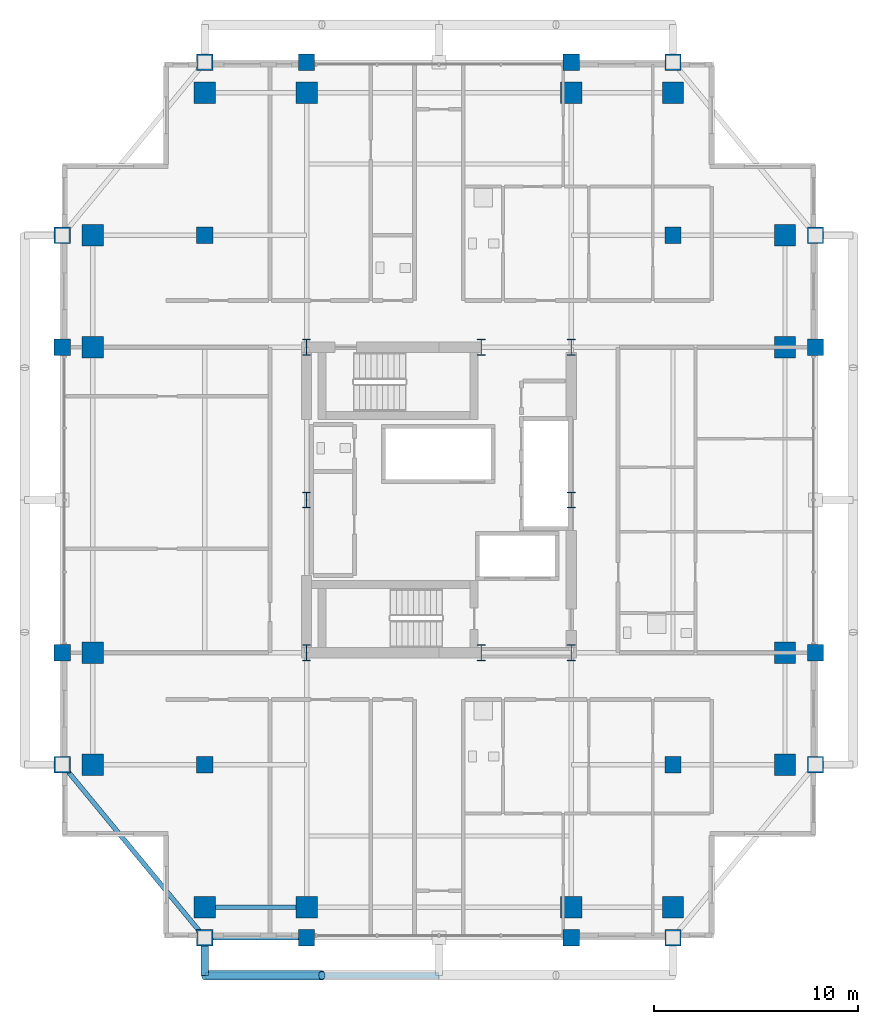
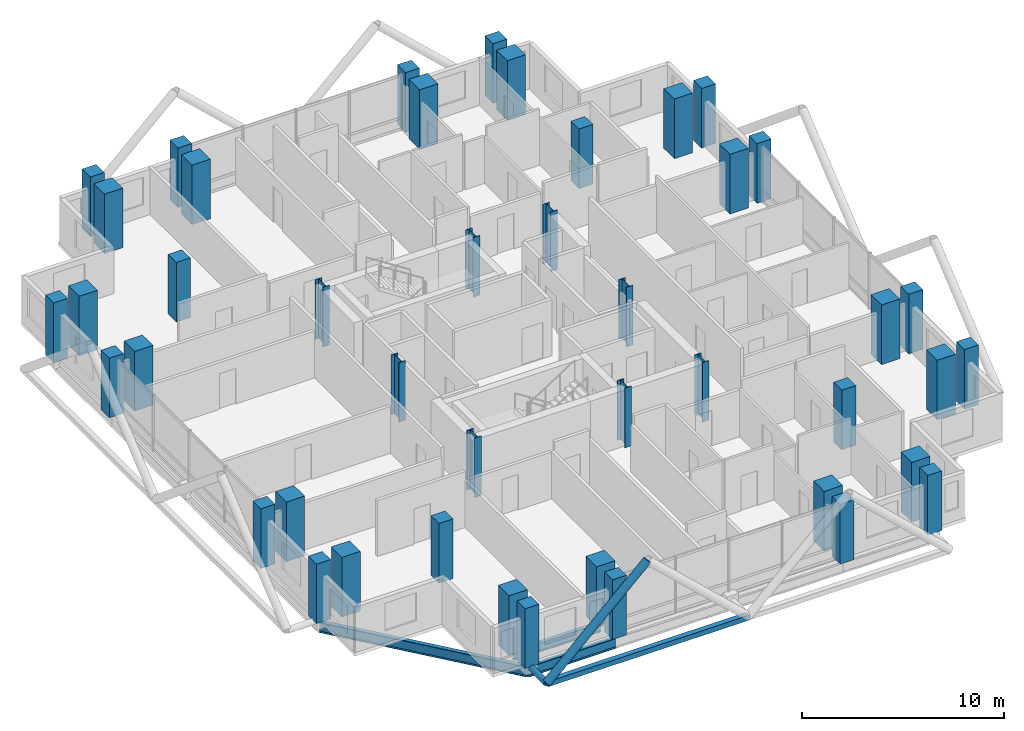
# One storey, part 1 of 26: 44 columns, 3 beams, 3 members.
"""IFC4 building model written with IfcOpenShell, lengths in metres."""

from ifc_helpers import new_model, si_unit, direction, frame, origin, origin_2d, place, context, subcontext, project, spatial, rectangle, hollow_rectangle, hollow_circle, i_section, extrude, material, material_profile, profile_set, type_object, element, save


model = new_model("IFC4")

# Units and contexts
model_context = context("Model", 3, precision=1e-05, world=origin(), true_north=direction((0.0, 1.0)))
body_context = subcontext(model_context, "Body", "Model", "MODEL_VIEW")
ifc_project = project(units=[si_unit("LENGTHUNIT", "METRE"), si_unit("AREAUNIT", "SQUARE_METRE"), si_unit("VOLUMEUNIT", "CUBIC_METRE"), si_unit("PLANEANGLEUNIT", "RADIAN"), si_unit("MASSUNIT", "GRAM", prefix="KILO")], contexts=[model_context])

# Site, building, storey
site_placement = place(None, origin())
site = spatial("IfcSite", under=ifc_project, at=site_placement, CompositionType="ELEMENT")
building_placement = place(site_placement, origin())
building = spatial("IfcBuilding", under=site, at=building_placement, Name="Barlavira Tower and Art Museum", CompositionType="ELEMENT")
storey_placement = place(building_placement, frame((0.0, 0.0, 176.39990234375)))
storey = spatial("IfcBuildingStorey", under=building, at=storey_placement, Name="L45", CompositionType="ELEMENT", Elevation=176.39990234375)

# Columns
ifc_material_1 = material(Name="Steel S355", Category="steel")
ifc_material_profile_1 = material_profile(ifc_material_1, i_section(OverallWidth=0.382080078125, OverallDepth=0.785888671875, WebThickness=0.02001953125, FlangeThickness=0.032958984375, at=origin_2d()), Name="W760x314.0")
ifc_profile_set_1 = profile_set([ifc_material_profile_1], Name="Steel S355")
column_type_1 = type_object("IfcColumnType", Name="Core Composite Column W760x314 Steel S355", PredefinedType="COLUMN", material=ifc_profile_set_1)
for number, where, z_axis, x_axis, name in (
    (1, (-6.5, -7.5, 0.0), (0.0, 0.0, 1.0), (1.0, 0.0, 0.0), "L45 Column CC-L45-C1"),
    (2, (2.080078125, -7.5, 0.0), (0.0, 0.0, 1.0), (1.0, 0.0, 0.0), "L45 Column CC-L45-C2"),
    (3, (6.5, -7.5, 0.0), (0.0, 0.0, 1.0), (1.0, 0.0, 0.0), "L45 Column CC-L45-C3"),
    (4, (-6.5, 0.0, 0.0), (0.0, 0.0, 1.0), (1.0, 0.0, 0.0), "L45 Column CC-L45-C4"),
    (5, (6.5, 0.0, 0.0), (0.0, 0.0, 1.0), (1.0, 0.0, 0.0), "L45 Column CC-L45-C5"),
    (6, (-6.5, 7.5, 0.0), (0.0, 0.0, 1.0), (1.0, 0.0, 0.0), "L45 Column CC-L45-C6"),
    (7, (2.080078125, 7.5, 0.0), (0.0, 0.0, 1.0), (1.0, 0.0, 0.0), "L45 Column CC-L45-C7"),
    (8, (6.5, 7.5, 0.0), (0.0, 0.0, 1.0), (1.0, 0.0, 0.0), "L45 Column CC-L45-C8"),
):
    element("IfcColumn", number, at=place(storey_placement, frame(where, z_axis=z_axis, x_axis=x_axis)), inside=storey, type_object=column_type_1, Name=name, PredefinedType="COLUMN", context=body_context, shape_type="SweptSolid", body=[
        extrude(i_section(OverallWidth=0.382080078125, OverallDepth=0.785888671875, WebThickness=0.02001953125, FlangeThickness=0.032958984375, at=origin_2d()), origin(), (0.0, 0.0, 1.0), 3.60009765625),
    ])
ifc_material_2 = material(Name="Concrete C55", Category="concrete")
ifc_material_profile_2 = material_profile(ifc_material_2, rectangle(XDim=1.050048828125, YDim=1.050048828125, at=origin_2d()), Name="RC-COL 1050x1050")
ifc_profile_set_2 = profile_set([ifc_material_profile_2], Name="Concrete C55")
column_type_2 = type_object("IfcColumnType", Name="Perimeter Mega Column 1050x1050 Concrete C55", PredefinedType="USERDEFINED", material=ifc_profile_set_2)
for number, where, z_axis, x_axis, name in (
    (9, (-11.5, -20.0, 0.0), (0.0, 0.0, 1.0), (1.0, 0.0, 0.0), "L45 Column MC-L45-M01"),
    (10, (-6.5, -20.0, 0.0), (0.0, 0.0, 1.0), (1.0, 0.0, 0.0), "L45 Column MC-L45-M02"),
    (11, (6.5, -20.0, 0.0), (0.0, 0.0, 1.0), (1.0, 0.0, 0.0), "L45 Column MC-L45-M03"),
    (12, (11.5, -20.0, 0.0), (0.0, 0.0, 1.0), (1.0, 0.0, 0.0), "L45 Column MC-L45-M04"),
    (13, (17.0, -13.0, 0.0), (0.0, 0.0, 1.0), (1.0, 0.0, 0.0), "L45 Column MC-L45-M05"),
    (14, (17.0, -7.5, 0.0), (0.0, 0.0, 1.0), (1.0, 0.0, 0.0), "L45 Column MC-L45-M06"),
    (15, (17.0, 7.5, 0.0), (0.0, 0.0, 1.0), (1.0, 0.0, 0.0), "L45 Column MC-L45-M07"),
    (16, (17.0, 13.0, 0.0), (0.0, 0.0, 1.0), (1.0, 0.0, 0.0), "L45 Column MC-L45-M08"),
    (17, (11.5, 20.0, 0.0), (0.0, 0.0, 1.0), (1.0, 0.0, 0.0), "L45 Column MC-L45-M09"),
    (18, (6.5, 20.0, 0.0), (0.0, 0.0, 1.0), (1.0, 0.0, 0.0), "L45 Column MC-L45-M10"),
    (19, (-6.5, 20.0, 0.0), (0.0, 0.0, 1.0), (1.0, 0.0, 0.0), "L45 Column MC-L45-M11"),
    (20, (-11.5, 20.0, 0.0), (0.0, 0.0, 1.0), (1.0, 0.0, 0.0), "L45 Column MC-L45-M12"),
    (21, (-17.0, 13.0, 0.0), (0.0, 0.0, 1.0), (1.0, 0.0, 0.0), "L45 Column MC-L45-M13"),
    (22, (-17.0, 7.5, 0.0), (0.0, 0.0, 1.0), (1.0, 0.0, 0.0), "L45 Column MC-L45-M14"),
    (23, (-17.0, -7.5, 0.0), (0.0, 0.0, 1.0), (1.0, 0.0, 0.0), "L45 Column MC-L45-M15"),
    (24, (-17.0, -13.0, 0.0), (0.0, 0.0, 1.0), (1.0, 0.0, 0.0), "L45 Column MC-L45-M16"),
):
    element("IfcColumn", number, at=place(storey_placement, frame(where, z_axis=z_axis, x_axis=x_axis)), inside=storey, type_object=column_type_2, Name=name, ObjectType="MEGA COLUMN", PredefinedType="USERDEFINED", context=body_context, shape_type="SweptSolid", body=[
        extrude(rectangle(XDim=1.050048828125, YDim=1.050048828125, at=origin_2d()), origin(), (0.0, 0.0, 1.0), 3.60009765625),
    ])
ifc_material_3 = material(Name="Concrete C50", Category="concrete")
ifc_material_profile_3 = material_profile(ifc_material_3, rectangle(XDim=0.800048828125, YDim=0.800048828125, at=origin_2d()), Name="RC-COL 800x800")
ifc_profile_set_3 = profile_set([ifc_material_profile_3], Name="Concrete C50")
column_type_3 = type_object("IfcColumnType", Name="Podium Frame Column 800x800 Concrete C50", PredefinedType="COLUMN", material=ifc_profile_set_3)
for number, where, z_axis, x_axis, name in (
    (25, (-11.5, -13.0, 0.0), (0.0, 0.0, 1.0), (1.0, 0.0, 0.0), "L45 Column CI-L45-I1"),
    (26, (11.5, -13.0, 0.0), (0.0, 0.0, 1.0), (1.0, 0.0, 0.0), "L45 Column CI-L45-I2"),
    (27, (-11.5, 13.0, 0.0), (0.0, 0.0, 1.0), (1.0, 0.0, 0.0), "L45 Column CI-L45-I3"),
    (28, (11.5, 13.0, 0.0), (0.0, 0.0, 1.0), (1.0, 0.0, 0.0), "L45 Column CI-L45-I4"),
    (29, (-11.5, -21.5, 0.0), (0.0, 0.0, 1.0), (1.0, 0.0, 0.0), "L45 Column CZ3-L45-N01"),
    (30, (-6.5, -21.5, 0.0), (0.0, 0.0, 1.0), (1.0, 0.0, 0.0), "L45 Column CZ3-L45-N02"),
    (31, (6.5, -21.5, 0.0), (0.0, 0.0, 1.0), (1.0, 0.0, 0.0), "L45 Column CZ3-L45-N02B"),
    (32, (11.5, -21.5, 0.0), (0.0, 0.0, 1.0), (1.0, 0.0, 0.0), "L45 Column CZ3-L45-N03"),
    (33, (-18.5, -13.0, 0.0), (0.0, 0.0, 1.0), (1.0, 0.0, 0.0), "L45 Column CZ3-L45-N04"),
    (34, (-18.5, -7.5, 0.0), (0.0, 0.0, 1.0), (1.0, 0.0, 0.0), "L45 Column CZ3-L45-N05"),
    (35, (-18.5, 7.5, 0.0), (0.0, 0.0, 1.0), (1.0, 0.0, 0.0), "L45 Column CZ3-L45-N05B"),
    (36, (-18.5, 13.0, 0.0), (0.0, 0.0, 1.0), (1.0, 0.0, 0.0), "L45 Column CZ3-L45-N06"),
    (37, (-11.5, 21.5, 0.0), (0.0, 0.0, 1.0), (1.0, 0.0, 0.0), "L45 Column CZ3-L45-N07"),
    (38, (-6.5, 21.5, 0.0), (0.0, 0.0, 1.0), (1.0, 0.0, 0.0), "L45 Column CZ3-L45-N08"),
    (39, (6.5, 21.5, 0.0), (0.0, 0.0, 1.0), (1.0, 0.0, 0.0), "L45 Column CZ3-L45-N08B"),
    (40, (11.5, 21.5, 0.0), (0.0, 0.0, 1.0), (1.0, 0.0, 0.0), "L45 Column CZ3-L45-N09"),
    (41, (18.5, -13.0, 0.0), (0.0, 0.0, 1.0), (1.0, 0.0, 0.0), "L45 Column CZ3-L45-N10"),
    (42, (18.5, -7.5, 0.0), (0.0, 0.0, 1.0), (1.0, 0.0, 0.0), "L45 Column CZ3-L45-N11"),
    (43, (18.5, 7.5, 0.0), (0.0, 0.0, 1.0), (1.0, 0.0, 0.0), "L45 Column CZ3-L45-N11B"),
    (44, (18.5, 13.0, 0.0), (0.0, 0.0, 1.0), (1.0, 0.0, 0.0), "L45 Column CZ3-L45-N12"),
):
    element("IfcColumn", number, at=place(storey_placement, frame(where, z_axis=z_axis, x_axis=x_axis)), inside=storey, type_object=column_type_3, Name=name, PredefinedType="COLUMN", context=body_context, shape_type="SweptSolid", body=[
        extrude(rectangle(XDim=0.800048828125, YDim=0.800048828125, at=origin_2d()), origin(), (0.0, 0.0, 1.0), 3.60009765625),
    ])

# Members
ifc_material_profile_4 = material_profile(ifc_material_1, hollow_circle(Radius=0.228515625, WallThickness=0.02001953125, at=origin_2d()), Name="CHS 457.0x20.0")
ifc_profile_set_4 = profile_set([ifc_material_profile_4], Name="Steel S355")
member_type_1 = type_object("IfcMemberType", Name="Pale-Metal Exoskeleton Diagrid Tube CHS 457x20 Steel S355", PredefinedType="BRACE", material=ifc_profile_set_4)
member_1_placement = place(storey_placement, frame((-11.5, -23.35009765625, -0.119873046875), z_axis=(0.728950095515, 0.0, 0.684566839869), x_axis=(0.0, 1.0, 0.0)))
element("IfcMember", 45, at=member_1_placement, inside=storey, type_object=member_type_1, Name="L45 Exoskeleton Diagrid Tube S", PredefinedType="BRACE", context=body_context, shape_type="SweptSolid", body=[
    extrude(hollow_circle(Radius=0.228515625, WallThickness=0.02001953125, at=origin_2d()), origin(), (0.0, 0.0, 1.0), 7.887939453125),
])
ifc_material_profile_5 = material_profile(ifc_material_1, hollow_circle(Radius=0.177734375, WallThickness=0.01611328125, at=origin_2d()), Name="CHS 355.6x16.0")
ifc_profile_set_5 = profile_set([ifc_material_profile_5], Name="Steel S355")
member_type_2 = type_object("IfcMemberType", Name="Pale-Metal Exoskeleton Tie Strut CHS 356x16 Steel S355", PredefinedType="STRUT", material=ifc_profile_set_5)
member_2_placement = place(storey_placement, frame((-11.5, -23.35009765625, -0.119873046875), z_axis=(0.0, 1.0, 0.0), x_axis=(-1.0, 0.0, 0.0)))
element("IfcMember", 46, at=member_2_placement, inside=storey, type_object=member_type_2, Name="L45 Exoskeleton Tie Strut S1", PredefinedType="STRUT", context=body_context, shape_type="SweptSolid", body=[
    extrude(hollow_circle(Radius=0.177734375, WallThickness=0.01611328125, at=origin_2d()), origin(), (0.0, 0.0, 1.0), 1.85009765625),
])
ifc_material_profile_6 = material_profile(ifc_material_1, hollow_rectangle(XDim=0.300048828125, YDim=0.300048828125, WallThickness=0.01611328125, at=origin_2d()), Name="SHS 300x300x16.0")
ifc_profile_set_6 = profile_set([ifc_material_profile_6], Name="Steel S355")
member_type_3 = type_object("IfcMemberType", Name="Pale-Metal Upper Ring Strut SHS 300x300x16 Steel S355", PredefinedType="STRUT", material=ifc_profile_set_6)
member_3_placement = place(storey_placement, frame((-11.5, -23.35009765625, -0.119873046875), z_axis=(1.0, 0.0, 0.0), x_axis=(0.0, 1.0, 0.0)))
element("IfcMember", 47, at=member_3_placement, inside=storey, type_object=member_type_3, Name="L45 Exoskeleton Ring Strut S", PredefinedType="STRUT", context=body_context, shape_type="SweptSolid", body=[
    extrude(hollow_rectangle(XDim=0.300048828125, YDim=0.300048828125, WallThickness=0.01611328125, at=origin_2d()), origin(), (0.0, 0.0, 1.0), 11.5),
])

# Beams
ifc_material_profile_7 = material_profile(ifc_material_1, i_section(OverallWidth=0.22998046875, OverallDepth=0.616943359375, WebThickness=0.01318359375, FlangeThickness=0.022216796875, at=origin_2d()), Name="W610x140.0")
ifc_profile_set_7 = profile_set([ifc_material_profile_7], Name="Steel S355")
beam_type_1 = type_object("IfcBeamType", Name="Upper Shaft Spandrel Edge Beam W610x140 Steel S355", PredefinedType="SPANDREL", material=ifc_profile_set_7)
beam_1_placement = place(storey_placement, frame((-11.5, -21.5, -0.5283203125), z_axis=(1.0, 0.0, 0.0), x_axis=(0.0, 1.0, 0.0)))
element("IfcBeam", 48, at=beam_1_placement, inside=storey, type_object=beam_type_1, Name="L45 Spandrel 1", PredefinedType="SPANDREL", context=body_context, shape_type="SweptSolid", body=[
    extrude(i_section(OverallWidth=0.22998046875, OverallDepth=0.616943359375, WebThickness=0.01318359375, FlangeThickness=0.022216796875, at=origin_2d()), origin(), (0.0, 0.0, 1.0), 5.0),
])
beam_2_placement = place(storey_placement, frame((-18.5, -13.0, -0.5283203125), z_axis=(0.635707252861, -0.771930235617, 0.0), x_axis=(0.771930235617, 0.635707252861, 0.0)))
element("IfcBeam", 49, at=beam_2_placement, inside=storey, type_object=beam_type_1, Name="L45 Spandrel 16", PredefinedType="SPANDREL", context=body_context, shape_type="SweptSolid", body=[
    extrude(i_section(OverallWidth=0.22998046875, OverallDepth=0.616943359375, WebThickness=0.01318359375, FlangeThickness=0.022216796875, at=origin_2d()), origin(), (0.0, 0.0, 1.0), 11.011474609375),
])
ifc_material_profile_8 = material_profile(ifc_material_1, i_section(OverallWidth=0.2109375, OverallDepth=0.5390625, WebThickness=0.01171875, FlangeThickness=0.018798828125, at=origin_2d()), Name="W530x109.0")
ifc_profile_set_8 = profile_set([ifc_material_profile_8], Name="Steel S355")
beam_type_2 = type_object("IfcBeamType", Name="Zone 3-4 Primary Floor Girder W530x109 Steel S355", PredefinedType="BEAM", material=ifc_profile_set_8)
beam_3_placement = place(storey_placement, frame((-11.5, -20.0, -0.489501953125), z_axis=(1.0, 0.0, 0.0), x_axis=(0.0, 1.0, 0.0)))
element("IfcBeam", 50, at=beam_3_placement, inside=storey, type_object=beam_type_2, Name="L45 Girder M-S1", PredefinedType="BEAM", context=body_context, shape_type="SweptSolid", body=[
    extrude(i_section(OverallWidth=0.2109375, OverallDepth=0.5390625, WebThickness=0.01171875, FlangeThickness=0.018798828125, at=origin_2d()), origin(), (0.0, 0.0, 1.0), 5.0),
])

save(model, "model.ifc")
